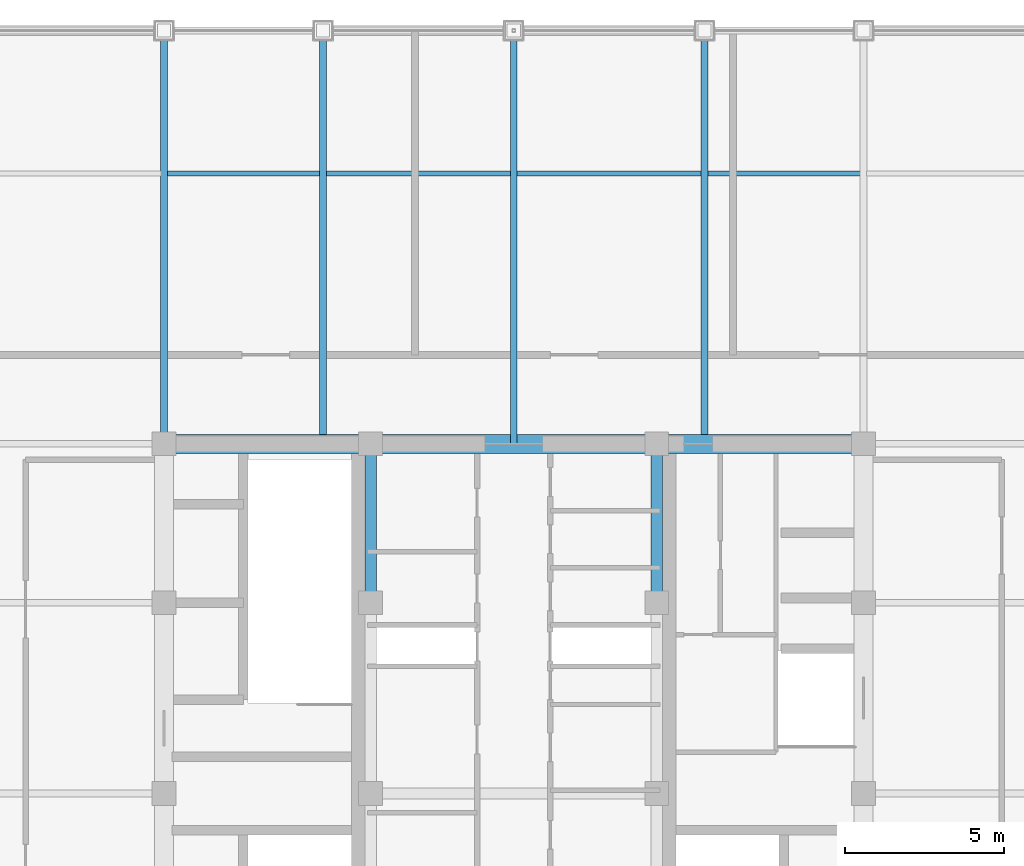
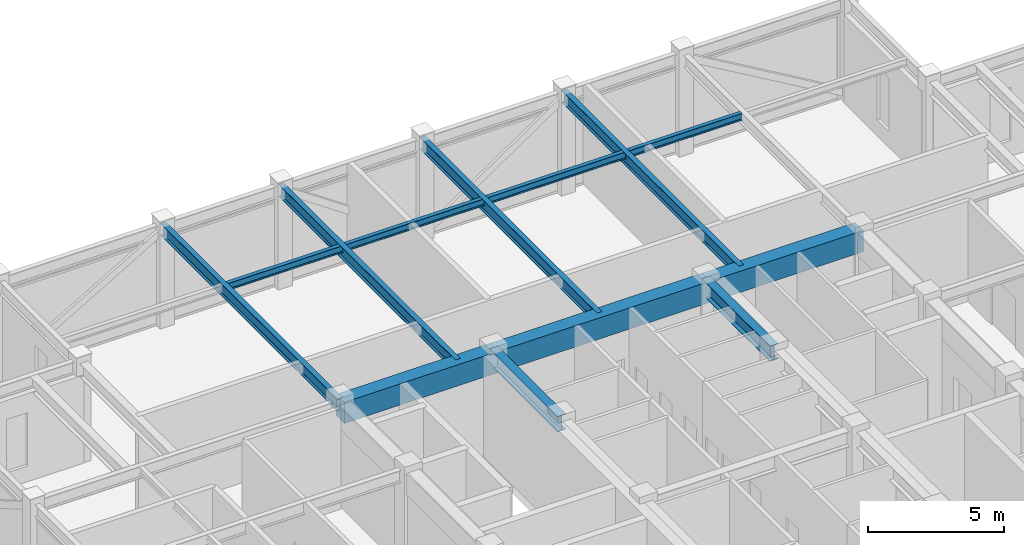
# One storey, part 15 of 27: 10 beams.
"""IFC4 building model written with IfcOpenShell, lengths in metres."""

import ifcopenshell
import ifcopenshell.guid

model = None  # the IFC model being written
_history = None  # IfcOwnerHistory: only IFC2X3 demands one
_inside = {}  # id of a spatial element -> (the spatial element, [elements in it])
_under = {}  # id of a project, library or spatial element -> (it, [spatial elements below it])
_declared = {}  # id of a project -> (the project, [libraries it declares])
_typed = {}  # id of a type object -> (the type object, [elements of that type])
_made_of = {}  # id of a material, layer set ... -> (it, [elements and type objects made of it])


def new_model(schema):
    """Start an empty IFC model of exactly this schema.

    Asked for "IFC4X3", IfcOpenShell would pick the latest addendum, in which some entities
    have other attributes; the version numbers below select the first issue.
    IFC2X3 requires an IfcOwnerHistory on every rooted entity: one is made here for all.
    """
    global model, _history
    if schema == "IFC4X3":
        model = ifcopenshell.file(schema_version=(4, 3, 0, 0))
    else:
        model = ifcopenshell.file(schema=schema)
    _inside.clear()
    _under.clear()
    _declared.clear()
    _typed.clear()
    _made_of.clear()
    _history = None
    if model.schema == "IFC2X3":
        org = make("IfcOrganization", Name="unknown")
        user = make(
            "IfcPersonAndOrganization",
            ThePerson=make("IfcPerson", FamilyName="unknown"),
            TheOrganization=org,
        )
        app = make(
            "IfcApplication",
            ApplicationDeveloper=org,
            Version="unknown",
            ApplicationFullName="unknown",
            ApplicationIdentifier="unknown",
        )
        _history = make(
            "IfcOwnerHistory",
            OwningUser=user,
            OwningApplication=app,
            ChangeAction="ADDED",
            CreationDate=0,
        )
    return model


def make(cls, **values):
    """One entity of the class cls with the attributes given. An attribute that is None is left unset."""
    return model.create_entity(
        cls, **{name: value for name, value in values.items() if value is not None}
    )


def rooted(cls, **values):
    """An entity with a GlobalId (a new one), such as an element, a storey or a relation."""
    return make(cls, GlobalId=ifcopenshell.guid.new(), OwnerHistory=_history, **values)


def si_unit(unit_type, name, prefix=None):
    """IfcSIUnit, for example si_unit("LENGTHUNIT", "METRE", prefix="MILLI")."""
    return make("IfcSIUnit", UnitType=unit_type, Prefix=prefix, Name=name)


def assignment(units):
    """IfcUnitAssignment: the units of a project."""
    return None if units is None else make("IfcUnitAssignment", Units=units)


def point(xyz):
    """IfcCartesianPoint."""
    return None if xyz is None else make("IfcCartesianPoint", Coordinates=xyz)


def direction(xyz):
    """IfcDirection."""
    return None if xyz is None else make("IfcDirection", DirectionRatios=xyz)


def frame(location, z_axis=None, x_axis=None):
    """IfcAxis2Placement3D, a coordinate frame: its origin and axes. An axis left out is left unset."""
    return make(
        "IfcAxis2Placement3D",
        Location=point(location),
        Axis=direction(z_axis),
        RefDirection=direction(x_axis),
    )


def frame_2d(location, x_axis=None):
    """IfcAxis2Placement2D, a coordinate frame in the plane: its origin and x axis."""
    return make(
        "IfcAxis2Placement2D", Location=point(location), RefDirection=direction(x_axis)
    )


def origin():
    """The frame at (0, 0, 0) with its axes left unset."""
    return frame((0.0, 0.0, 0.0))


def origin_2d():
    """The frame at (0, 0) in the plane with its x axis left unset."""
    return frame_2d((0.0, 0.0))


def place(relative_to, where):
    """IfcLocalPlacement: puts the frame where relative to a parent placement (None: the world)."""
    return make(
        "IfcLocalPlacement", PlacementRelTo=relative_to, RelativePlacement=where
    )


def context(
    kind, dimensions, precision=None, world=None, true_north=None, identifier=None
):
    """IfcGeometricRepresentationContext, for example the 3D "Model" context."""
    return make(
        "IfcGeometricRepresentationContext",
        ContextIdentifier=identifier,
        ContextType=kind,
        CoordinateSpaceDimension=dimensions,
        Precision=precision,
        WorldCoordinateSystem=world,
        TrueNorth=true_north,
    )


def subcontext(parent, identifier, kind, view, scale=None):
    """IfcGeometricRepresentationSubContext, for example "Body" below "Model"."""
    return make(
        "IfcGeometricRepresentationSubContext",
        ContextIdentifier=identifier,
        ContextType=kind,
        ParentContext=parent,
        TargetScale=scale,
        TargetView=view,
    )


def project(units=None, contexts=None):
    """IfcProject with its units and contexts."""
    return rooted(
        "IfcProject",
        Name="project",
        RepresentationContexts=contexts,
        UnitsInContext=assignment(units),
    )


def spatial(cls, under=None, at=None, **own):
    """A site, building, storey or space (cls), placed at a placement, below another one or the project."""
    s = rooted(cls, ObjectPlacement=at, **own)
    if under is not None:
        _under.setdefault(under.id(), (under, []))[1].append(s)
    return s


def profile(cls, at=None, kind="AREA", **sizes):
    """A parametric profile (cls). Its sizes go by their IFC names, for example OverallWidth=200.0."""
    return make(cls, ProfileType=kind, Position=at, **sizes)


def rectangle(**sizes):
    """IfcRectangleProfileDef."""
    return profile("IfcRectangleProfileDef", **sizes)


def i_section(**sizes):
    """IfcIShapeProfileDef."""
    return profile("IfcIShapeProfileDef", **sizes)


def extrude(swept, where, along, depth):
    """IfcExtrudedAreaSolid: the profile swept, set in the frame where, extruded along a direction by depth."""
    return make(
        "IfcExtrudedAreaSolid",
        SweptArea=swept,
        Position=where,
        ExtrudedDirection=direction(along),
        Depth=depth,
    )


def shape(context_of_items, identifier, shape_type, items):
    """IfcShapeRepresentation: the items that make up one representation, for example the "Body"."""
    return make(
        "IfcShapeRepresentation",
        ContextOfItems=context_of_items,
        RepresentationIdentifier=identifier,
        RepresentationType=shape_type,
        Items=items,
    )


def source(mapping_origin, context_of_items, identifier, shape_type, items):
    """IfcRepresentationMap: a shape defined once, which mapped items show again and again."""
    return make(
        "IfcRepresentationMap",
        MappingOrigin=mapping_origin,
        MappedRepresentation=shape(context_of_items, identifier, shape_type, items),
    )


def transform(
    local_origin,
    x_axis=None,
    y_axis=None,
    z_axis=None,
    scale=None,
    scale2=None,
    scale3=None,
    uniform=True,
):
    """IfcCartesianTransformationOperator3D, or its non-uniform kind. x_axis, y_axis, z_axis: its Axis1, 2, 3."""
    if uniform:
        return make(
            "IfcCartesianTransformationOperator3D",
            Axis1=direction(x_axis),
            Axis2=direction(y_axis),
            LocalOrigin=point(local_origin),
            Scale=scale,
            Axis3=direction(z_axis),
        )
    return make(
        "IfcCartesianTransformationOperator3DnonUniform",
        Axis1=direction(x_axis),
        Axis2=direction(y_axis),
        LocalOrigin=point(local_origin),
        Scale=scale,
        Axis3=direction(z_axis),
        Scale2=scale2,
        Scale3=scale3,
    )


def mapped(mapping_source, mapping_target):
    """IfcMappedItem: shows the shape of a source again, moved by a transform."""
    return make(
        "IfcMappedItem", MappingSource=mapping_source, MappingTarget=mapping_target
    )


def material(Name=None, Category=None):
    """IfcMaterial."""
    return make("IfcMaterial", Name=Name, Category=Category)


def material_profile(
    of_material, cross_section, Name=None, Category=None, Priority=None
):
    """IfcMaterialProfile: a cross section and its material."""
    return make(
        "IfcMaterialProfile",
        Name=Name,
        Material=of_material,
        Profile=cross_section,
        Priority=Priority,
        Category=Category,
    )


def profile_set(profiles, Name=None, composite=None):
    """IfcMaterialProfileSet."""
    return make(
        "IfcMaterialProfileSet",
        Name=Name,
        MaterialProfiles=profiles,
        CompositeProfile=composite,
    )


def made_of(thing, what):
    """Note that an element or type object is made of a material, layer set ...; save() writes the relation."""
    if what is not None:
        _made_of.setdefault(what.id(), (what, []))[1].append(thing)
    return thing


def type_object(cls, material=None, **own):
    """A type object (cls), such as IfcWallType, which elements share."""
    return made_of(rooted(cls, **own), material)


def element(
    cls,
    number,
    at=None,
    inside=None,
    cuts=None,
    type_object=None,
    material=None,
    context=None,
    identifier="Body",
    shape_type=None,
    held_by="IfcProductDefinitionShape",
    body=None,
    shapes=None,
    **own,
):
    """One element of the class cls, such as IfcWall. Its Tag is "e" and its number.

    at: its placement. inside: the storey or other place that contains it. cuts: it is an
    opening in that element (IfcRelVoidsElement). A single representation is given by context,
    identifier, shape_type and body (its items); several are given by shapes. held_by: the class
    of the entity that holds the representations. save() writes the other relations.
    """
    e = rooted(cls, Tag="e%d" % number, ObjectPlacement=at, **own)
    if body is not None:
        shapes = [shape(context, identifier, shape_type, body)]
    if shapes is not None:
        e.Representation = make(held_by, Representations=shapes)
    if inside is not None:
        _inside.setdefault(inside.id(), (inside, []))[1].append(e)
    if cuts is not None:
        rooted(
            "IfcRelVoidsElement", RelatingBuildingElement=cuts, RelatedOpeningElement=e
        )
    if type_object is not None:
        _typed.setdefault(type_object.id(), (type_object, []))[1].append(e)
    return made_of(e, material)


def aggregate(whole, parts):
    """IfcRelAggregates: a whole, such as a stair, and the parts it consists of."""
    return rooted("IfcRelAggregates", RelatingObject=whole, RelatedObjects=parts)


def save(model, path):
    """Write the relations noted so far, then the file.

    IfcRelAggregates (storeys below a building ...), IfcRelContainedInSpatialStructure (elements
    in a storey), IfcRelDefinesByType, IfcRelAssociatesMaterial and IfcRelDeclares: one each for
    every whole, place, type object, material and project.
    """
    for whole, parts in _under.values():
        aggregate(whole, parts)
    for where, things in _inside.values():
        rooted(
            "IfcRelContainedInSpatialStructure",
            RelatedElements=things,
            RelatingStructure=where,
        )
    for kind, things in _typed.values():
        rooted("IfcRelDefinesByType", RelatedObjects=things, RelatingType=kind)
    for what, things in _made_of.values():
        rooted("IfcRelAssociatesMaterial", RelatedObjects=things, RelatingMaterial=what)
    for by, libraries in _declared.values():
        rooted("IfcRelDeclares", RelatingContext=by, RelatedDefinitions=libraries)
    model.write(path)


model = new_model("IFC4")

# Units and contexts
model_context = context("Model", 3, precision=1e-05, world=origin(), true_north=direction((0.0, 1.0)))
body_context = subcontext(model_context, "Body", "Model", "MODEL_VIEW")
ifc_project = project(units=[si_unit("LENGTHUNIT", "METRE"), si_unit("AREAUNIT", "SQUARE_METRE"), si_unit("VOLUMEUNIT", "CUBIC_METRE"), si_unit("PLANEANGLEUNIT", "RADIAN"), si_unit("MASSUNIT", "GRAM", prefix="KILO")], contexts=[model_context])

# Site, building, storey
site_placement = place(None, origin())
site = spatial("IfcSite", under=ifc_project, at=site_placement, CompositionType="ELEMENT")
building_placement = place(site_placement, origin())
building = spatial("IfcBuilding", under=site, at=building_placement, Name="Khorayat Bourse Tower", CompositionType="ELEMENT")
storey_placement = place(building_placement, frame((0.0, 0.0, 399.5)))
storey = spatial("IfcBuildingStorey", under=building, at=storey_placement, Name="L94", CompositionType="ELEMENT", Elevation=399.5)

# Beams
ifc_material_1 = material(Name="Steel ASTM A992 Grade 50", Category="steel")
ifc_material_profile_1 = material_profile(ifc_material_1, i_section(OverallWidth=0.35498046875, OverallDepth=0.695068359375, WebThickness=0.015380859375, FlangeThickness=0.02490234375, FilletRadius=0.01806640625, at=origin_2d()), Name="W690X217")
ifc_profile_set_1 = profile_set([ifc_material_profile_1], Name="Steel ASTM A992 Grade 50")
beam_type_1 = type_object("IfcBeamType", Name="BM-GIRD-690", PredefinedType="BEAM", material=ifc_profile_set_1)
shared_shape_1 = source(origin(), body_context, "Body", "SweptSolid", [
    extrude(i_section(OverallWidth=0.35498046875, OverallDepth=0.695068359375, WebThickness=0.015380859375, FlangeThickness=0.02490234375, FilletRadius=0.01806640625, at=origin_2d()), origin(), (0.0, 0.0, 1.0), 5.0),
])
for number, where, z_axis, x_axis, name in (
    (1, (-4.5, 6.0, 4.152587890625), (0.0, 1.0, 0.0), (-1.0, 0.0, 0.0), "L94 BM-GIRD-690 BM-L94-CRX-08"),
    (2, (4.5, 6.0, 4.152587890625), (0.0, 1.0, 0.0), (-1.0, 0.0, 0.0), "L94 BM-GIRD-690 BM-L94-CRX-12"),
):
    element("IfcBeam", number, at=place(storey_placement, frame(where, z_axis=z_axis, x_axis=x_axis)), inside=storey, type_object=beam_type_1, Name=name, PredefinedType="BEAM", context=body_context, shape_type="MappedRepresentation", body=[
        mapped(shared_shape_1, transform((0.0, 0.0, 0.0), scale=1.0)),
    ])
ifc_material_2 = material(Name="Concrete C60/75", Category="concrete")
ifc_material_profile_2 = material_profile(ifc_material_2, rectangle(XDim=0.60009765625, YDim=0.949951171875, at=origin_2d()), Name="RC 600x950")
ifc_profile_set_2 = profile_set([ifc_material_profile_2], Name="Concrete C60/75")
beam_type_2 = type_object("IfcBeamType", Name="BM-COUP-950", PredefinedType="BEAM", material=ifc_profile_set_2)
shared_shape_2 = source(origin(), body_context, "Body", "SweptSolid", [
    extrude(rectangle(XDim=0.60009765625, YDim=0.949951171875, at=origin_2d()), origin(), (0.0, 0.0, 1.0), 6.5),
])
for number, where, z_axis, x_axis, name in (
    (3, (-11.0, 11.0, 4.02490234375), (1.0, 0.0, 0.0), (0.0, 1.0, 0.0), "L94 BM-COUP-950 BM-L94-CRY-20"),
    (4, (4.5, 11.0, 4.02490234375), (1.0, 0.0, 0.0), (0.0, 1.0, 0.0), "L94 BM-COUP-950 BM-L94-CRY-22"),
):
    element("IfcBeam", number, at=place(storey_placement, frame(where, z_axis=z_axis, x_axis=x_axis)), inside=storey, type_object=beam_type_2, Name=name, PredefinedType="BEAM", context=body_context, shape_type="MappedRepresentation", body=[
        mapped(shared_shape_2, transform((0.0, 0.0, 0.0), scale=1.0)),
    ])
shared_shape_3 = source(origin(), body_context, "Body", "SweptSolid", [
    extrude(rectangle(XDim=0.60009765625, YDim=0.949951171875, at=origin_2d()), origin(), (0.0, 0.0, 1.0), 9.0),
])
beam_1_placement = place(storey_placement, frame((-4.5, 11.0, 4.02490234375), z_axis=(1.0, 0.0, 0.0), x_axis=(0.0, 1.0, 0.0)))
element("IfcBeam", 5, at=beam_1_placement, inside=storey, type_object=beam_type_2, Name="L94 BM-COUP-950 BM-L94-CRY-21", PredefinedType="BEAM", context=body_context, shape_type="MappedRepresentation", body=[
    mapped(shared_shape_3, transform((0.0, 0.0, 0.0), scale=1.0)),
])
ifc_material_profile_3 = material_profile(ifc_material_1, i_section(OverallWidth=0.214111328125, OverallDepth=0.549072265625, WebThickness=0.0146484375, FlangeThickness=0.023681640625, FilletRadius=0.013916015625, at=origin_2d()), Name="W530X138")
ifc_profile_set_3 = profile_set([ifc_material_profile_3], Name="Steel ASTM A992 Grade 50")
beam_type_3 = type_object("IfcBeamType", Name="BM-GIRD-530", PredefinedType="BEAM", material=ifc_profile_set_3)
shared_shape_4 = source(origin(), body_context, "Body", "SweptSolid", [
    extrude(i_section(OverallWidth=0.214111328125, OverallDepth=0.549072265625, WebThickness=0.0146484375, FlangeThickness=0.023681640625, FilletRadius=0.013916015625, at=origin_2d()), origin(), (0.0, 0.0, 1.0), 13.0),
])
for number, where, z_axis, x_axis, name in (
    (6, (-11.0, 11.0, 4.2255859375), (0.0, 1.0, 0.0), (-1.0, 0.0, 0.0), "L94 BM-GIRD-530 BM-L94-RADY-056"),
    (7, (-6.0, 11.0, 4.2255859375), (0.0, 1.0, 0.0), (-1.0, 0.0, 0.0), "L94 BM-GIRD-530 BM-L94-RADY-058"),
    (8, (0.0, 11.0, 4.2255859375), (0.0, 1.0, 0.0), (-1.0, 0.0, 0.0), "L94 BM-GIRD-530 BM-L94-RADY-060"),
    (9, (6.0, 11.0, 4.2255859375), (0.0, 1.0, 0.0), (-1.0, 0.0, 0.0), "L94 BM-GIRD-530 BM-L94-RADY-062"),
):
    element("IfcBeam", number, at=place(storey_placement, frame(where, z_axis=z_axis, x_axis=x_axis)), inside=storey, type_object=beam_type_3, Name=name, PredefinedType="BEAM", context=body_context, shape_type="MappedRepresentation", body=[
        mapped(shared_shape_4, transform((0.0, 0.0, 0.0), scale=1.0)),
    ])
ifc_material_profile_4 = material_profile(ifc_material_1, i_section(OverallWidth=0.1669921875, OverallDepth=0.31689453125, WebThickness=0.007568359375, FlangeThickness=0.01318359375, FilletRadius=0.010009765625, at=origin_2d()), Name="W310X52")
ifc_profile_set_4 = profile_set([ifc_material_profile_4], Name="Steel ASTM A992 Grade 50")
beam_type_4 = type_object("IfcBeamType", Name="BM-JOIST-310", PredefinedType="JOIST", material=ifc_profile_set_4)
shared_shape_5 = source(origin(), body_context, "Body", "SweptSolid", [
    extrude(i_section(OverallWidth=0.1669921875, OverallDepth=0.31689453125, WebThickness=0.007568359375, FlangeThickness=0.01318359375, FilletRadius=0.010009765625, at=origin_2d()), origin(), (0.0, 0.0, 1.0), 21.81005859375),
])
beam_2_placement = place(storey_placement, frame((-10.905029296875, 19.5, 4.341552734375), z_axis=(1.0, 0.0, 0.0), x_axis=(0.0, 1.0, 0.0)))
element("IfcBeam", 10, at=beam_2_placement, inside=storey, type_object=beam_type_4, Name="L94 BM-JOIST-310 BM-L94-JSTX-088", PredefinedType="JOIST", context=body_context, shape_type="MappedRepresentation", body=[
    mapped(shared_shape_5, transform((0.0, 0.0, 0.0), scale=1.0)),
])

save(model, "model.ifc")
